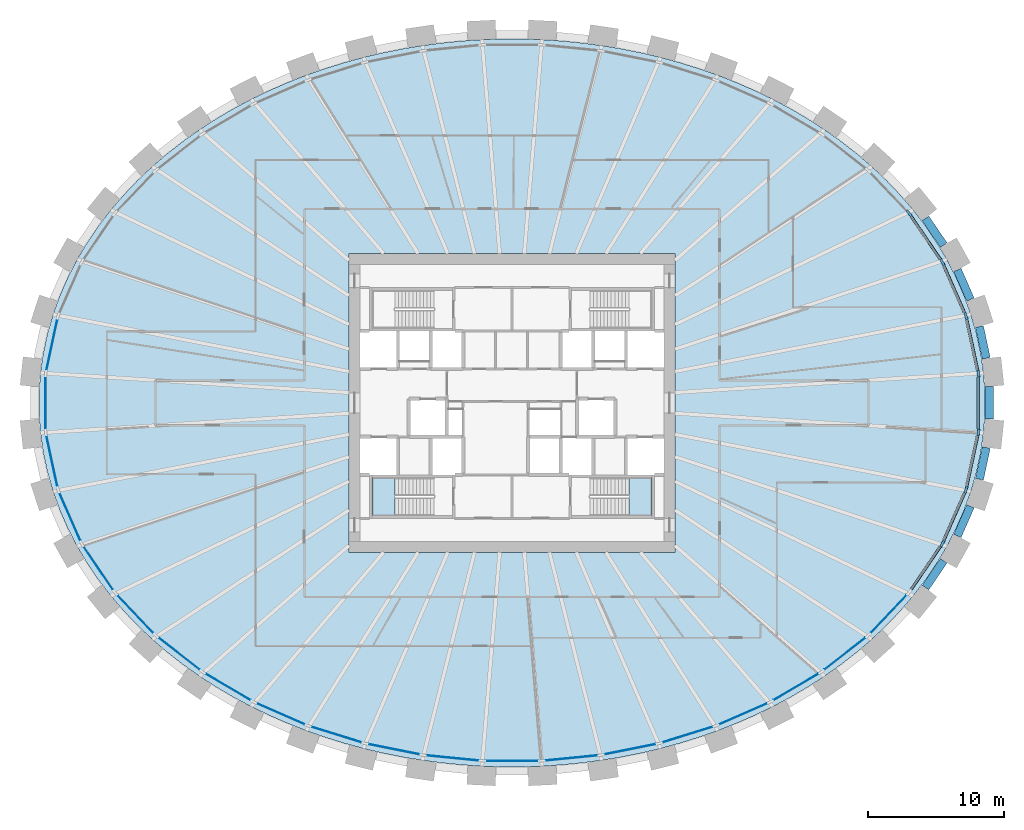
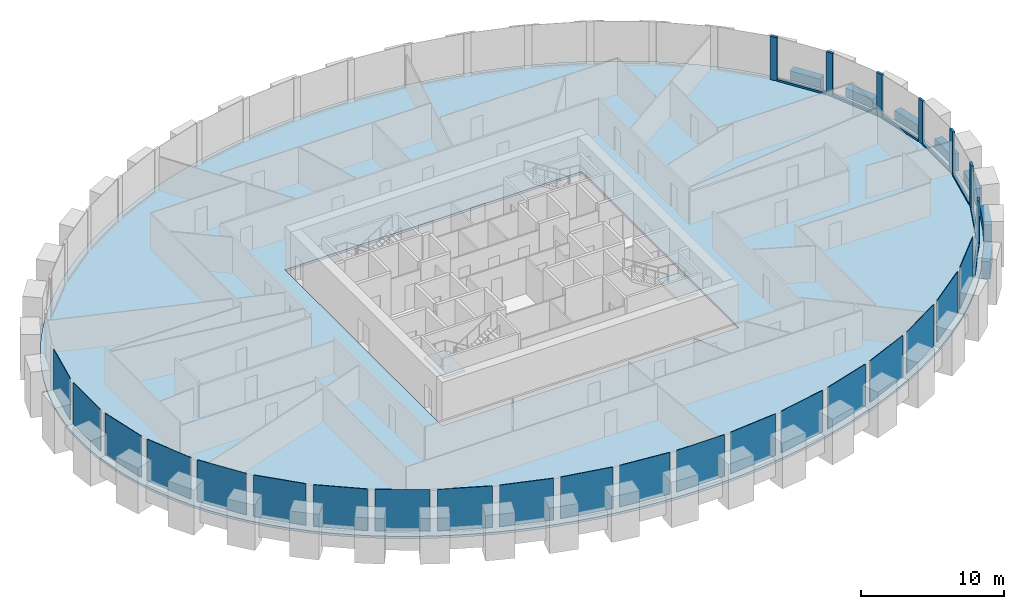
# One storey, part 4 of 11: 20 plates, 14 members, 7 beams, 3 slabs, 3 elements without a shape of their own.
"""IFC4 building model written with IfcOpenShell, lengths in metres."""

import ifcopenshell
import ifcopenshell.guid

model = None  # the IFC model being written
_history = None  # IfcOwnerHistory: only IFC2X3 demands one
_inside = {}  # id of a spatial element -> (the spatial element, [elements in it])
_under = {}  # id of a project, library or spatial element -> (it, [spatial elements below it])
_declared = {}  # id of a project -> (the project, [libraries it declares])
_typed = {}  # id of a type object -> (the type object, [elements of that type])
_made_of = {}  # id of a material, layer set ... -> (it, [elements and type objects made of it])


def new_model(schema):
    """Start an empty IFC model of exactly this schema.

    Asked for "IFC4X3", IfcOpenShell would pick the latest addendum, in which some entities
    have other attributes; the version numbers below select the first issue.
    IFC2X3 requires an IfcOwnerHistory on every rooted entity: one is made here for all.
    """
    global model, _history
    if schema == "IFC4X3":
        model = ifcopenshell.file(schema_version=(4, 3, 0, 0))
    else:
        model = ifcopenshell.file(schema=schema)
    _inside.clear()
    _under.clear()
    _declared.clear()
    _typed.clear()
    _made_of.clear()
    _history = None
    if model.schema == "IFC2X3":
        org = make("IfcOrganization", Name="unknown")
        user = make(
            "IfcPersonAndOrganization",
            ThePerson=make("IfcPerson", FamilyName="unknown"),
            TheOrganization=org,
        )
        app = make(
            "IfcApplication",
            ApplicationDeveloper=org,
            Version="unknown",
            ApplicationFullName="unknown",
            ApplicationIdentifier="unknown",
        )
        _history = make(
            "IfcOwnerHistory",
            OwningUser=user,
            OwningApplication=app,
            ChangeAction="ADDED",
            CreationDate=0,
        )
    return model


def make(cls, **values):
    """One entity of the class cls with the attributes given. An attribute that is None is left unset."""
    return model.create_entity(
        cls, **{name: value for name, value in values.items() if value is not None}
    )


def rooted(cls, **values):
    """An entity with a GlobalId (a new one), such as an element, a storey or a relation."""
    return make(cls, GlobalId=ifcopenshell.guid.new(), OwnerHistory=_history, **values)


def si_unit(unit_type, name, prefix=None):
    """IfcSIUnit, for example si_unit("LENGTHUNIT", "METRE", prefix="MILLI")."""
    return make("IfcSIUnit", UnitType=unit_type, Prefix=prefix, Name=name)


def assignment(units):
    """IfcUnitAssignment: the units of a project."""
    return None if units is None else make("IfcUnitAssignment", Units=units)


def point(xyz):
    """IfcCartesianPoint."""
    return None if xyz is None else make("IfcCartesianPoint", Coordinates=xyz)


def direction(xyz):
    """IfcDirection."""
    return None if xyz is None else make("IfcDirection", DirectionRatios=xyz)


def frame(location, z_axis=None, x_axis=None):
    """IfcAxis2Placement3D, a coordinate frame: its origin and axes. An axis left out is left unset."""
    return make(
        "IfcAxis2Placement3D",
        Location=point(location),
        Axis=direction(z_axis),
        RefDirection=direction(x_axis),
    )


def frame_2d(location, x_axis=None):
    """IfcAxis2Placement2D, a coordinate frame in the plane: its origin and x axis."""
    return make(
        "IfcAxis2Placement2D", Location=point(location), RefDirection=direction(x_axis)
    )


def origin():
    """The frame at (0, 0, 0) with its axes left unset."""
    return frame((0.0, 0.0, 0.0))


def origin_2d():
    """The frame at (0, 0) in the plane with its x axis left unset."""
    return frame_2d((0.0, 0.0))


def place(relative_to, where):
    """IfcLocalPlacement: puts the frame where relative to a parent placement (None: the world)."""
    return make(
        "IfcLocalPlacement", PlacementRelTo=relative_to, RelativePlacement=where
    )


def context(
    kind, dimensions, precision=None, world=None, true_north=None, identifier=None
):
    """IfcGeometricRepresentationContext, for example the 3D "Model" context."""
    return make(
        "IfcGeometricRepresentationContext",
        ContextIdentifier=identifier,
        ContextType=kind,
        CoordinateSpaceDimension=dimensions,
        Precision=precision,
        WorldCoordinateSystem=world,
        TrueNorth=true_north,
    )


def subcontext(parent, identifier, kind, view, scale=None):
    """IfcGeometricRepresentationSubContext, for example "Body" below "Model"."""
    return make(
        "IfcGeometricRepresentationSubContext",
        ContextIdentifier=identifier,
        ContextType=kind,
        ParentContext=parent,
        TargetScale=scale,
        TargetView=view,
    )


def project(units=None, contexts=None):
    """IfcProject with its units and contexts."""
    return rooted(
        "IfcProject",
        Name="project",
        RepresentationContexts=contexts,
        UnitsInContext=assignment(units),
    )


def spatial(cls, under=None, at=None, **own):
    """A site, building, storey or space (cls), placed at a placement, below another one or the project."""
    s = rooted(cls, ObjectPlacement=at, **own)
    if under is not None:
        _under.setdefault(under.id(), (under, []))[1].append(s)
    return s


def polyline(points):
    """IfcPolyline through the points."""
    return make("IfcPolyline", Points=[point(p) for p in points])


def profile(cls, at=None, kind="AREA", **sizes):
    """A parametric profile (cls). Its sizes go by their IFC names, for example OverallWidth=200.0."""
    return make(cls, ProfileType=kind, Position=at, **sizes)


def rectangle(**sizes):
    """IfcRectangleProfileDef."""
    return profile("IfcRectangleProfileDef", **sizes)


def outline(outer, holes=None, kind="AREA"):
    """IfcArbitraryClosedProfileDef: a profile drawn as a closed curve; with holes, ...WithVoids."""
    if holes is None:
        return make("IfcArbitraryClosedProfileDef", ProfileType=kind, OuterCurve=outer)
    return make(
        "IfcArbitraryProfileDefWithVoids",
        ProfileType=kind,
        OuterCurve=outer,
        InnerCurves=holes,
    )


def extrude(swept, where, along, depth):
    """IfcExtrudedAreaSolid: the profile swept, set in the frame where, extruded along a direction by depth."""
    return make(
        "IfcExtrudedAreaSolid",
        SweptArea=swept,
        Position=where,
        ExtrudedDirection=direction(along),
        Depth=depth,
    )


def shape(context_of_items, identifier, shape_type, items):
    """IfcShapeRepresentation: the items that make up one representation, for example the "Body"."""
    return make(
        "IfcShapeRepresentation",
        ContextOfItems=context_of_items,
        RepresentationIdentifier=identifier,
        RepresentationType=shape_type,
        Items=items,
    )


def source(mapping_origin, context_of_items, identifier, shape_type, items):
    """IfcRepresentationMap: a shape defined once, which mapped items show again and again."""
    return make(
        "IfcRepresentationMap",
        MappingOrigin=mapping_origin,
        MappedRepresentation=shape(context_of_items, identifier, shape_type, items),
    )


def transform(
    local_origin,
    x_axis=None,
    y_axis=None,
    z_axis=None,
    scale=None,
    scale2=None,
    scale3=None,
    uniform=True,
):
    """IfcCartesianTransformationOperator3D, or its non-uniform kind. x_axis, y_axis, z_axis: its Axis1, 2, 3."""
    if uniform:
        return make(
            "IfcCartesianTransformationOperator3D",
            Axis1=direction(x_axis),
            Axis2=direction(y_axis),
            LocalOrigin=point(local_origin),
            Scale=scale,
            Axis3=direction(z_axis),
        )
    return make(
        "IfcCartesianTransformationOperator3DnonUniform",
        Axis1=direction(x_axis),
        Axis2=direction(y_axis),
        LocalOrigin=point(local_origin),
        Scale=scale,
        Axis3=direction(z_axis),
        Scale2=scale2,
        Scale3=scale3,
    )


def mapped(mapping_source, mapping_target):
    """IfcMappedItem: shows the shape of a source again, moved by a transform."""
    return make(
        "IfcMappedItem", MappingSource=mapping_source, MappingTarget=mapping_target
    )


def material(Name=None, Category=None):
    """IfcMaterial."""
    return make("IfcMaterial", Name=Name, Category=Category)


def layer(
    of_material, thickness, ventilated=None, Name=None, Category=None, Priority=None
):
    """IfcMaterialLayer: one layer of a wall or slab, of a material (None: an air gap)."""
    return make(
        "IfcMaterialLayer",
        Material=of_material,
        LayerThickness=thickness,
        IsVentilated=ventilated,
        Name=Name,
        Category=Category,
        Priority=Priority,
    )


def layer_set(layers, Name=None):
    """IfcMaterialLayerSet."""
    return make("IfcMaterialLayerSet", MaterialLayers=layers, LayerSetName=Name)


def material_profile(
    of_material, cross_section, Name=None, Category=None, Priority=None
):
    """IfcMaterialProfile: a cross section and its material."""
    return make(
        "IfcMaterialProfile",
        Name=Name,
        Material=of_material,
        Profile=cross_section,
        Priority=Priority,
        Category=Category,
    )


def profile_set(profiles, Name=None, composite=None):
    """IfcMaterialProfileSet."""
    return make(
        "IfcMaterialProfileSet",
        Name=Name,
        MaterialProfiles=profiles,
        CompositeProfile=composite,
    )


def made_of(thing, what):
    """Note that an element or type object is made of a material, layer set ...; save() writes the relation."""
    if what is not None:
        _made_of.setdefault(what.id(), (what, []))[1].append(thing)
    return thing


def type_object(cls, material=None, **own):
    """A type object (cls), such as IfcWallType, which elements share."""
    return made_of(rooted(cls, **own), material)


def element(
    cls,
    number,
    at=None,
    inside=None,
    cuts=None,
    type_object=None,
    material=None,
    context=None,
    identifier="Body",
    shape_type=None,
    held_by="IfcProductDefinitionShape",
    body=None,
    shapes=None,
    **own,
):
    """One element of the class cls, such as IfcWall. Its Tag is "e" and its number.

    at: its placement. inside: the storey or other place that contains it. cuts: it is an
    opening in that element (IfcRelVoidsElement). A single representation is given by context,
    identifier, shape_type and body (its items); several are given by shapes. held_by: the class
    of the entity that holds the representations. save() writes the other relations.
    """
    e = rooted(cls, Tag="e%d" % number, ObjectPlacement=at, **own)
    if body is not None:
        shapes = [shape(context, identifier, shape_type, body)]
    if shapes is not None:
        e.Representation = make(held_by, Representations=shapes)
    if inside is not None:
        _inside.setdefault(inside.id(), (inside, []))[1].append(e)
    if cuts is not None:
        rooted(
            "IfcRelVoidsElement", RelatingBuildingElement=cuts, RelatedOpeningElement=e
        )
    if type_object is not None:
        _typed.setdefault(type_object.id(), (type_object, []))[1].append(e)
    return made_of(e, material)


def aggregate(whole, parts):
    """IfcRelAggregates: a whole, such as a stair, and the parts it consists of."""
    return rooted("IfcRelAggregates", RelatingObject=whole, RelatedObjects=parts)


def save(model, path):
    """Write the relations noted so far, then the file.

    IfcRelAggregates (storeys below a building ...), IfcRelContainedInSpatialStructure (elements
    in a storey), IfcRelDefinesByType, IfcRelAssociatesMaterial and IfcRelDeclares: one each for
    every whole, place, type object, material and project.
    """
    for whole, parts in _under.values():
        aggregate(whole, parts)
    for where, things in _inside.values():
        rooted(
            "IfcRelContainedInSpatialStructure",
            RelatedElements=things,
            RelatingStructure=where,
        )
    for kind, things in _typed.values():
        rooted("IfcRelDefinesByType", RelatedObjects=things, RelatingType=kind)
    for what, things in _made_of.values():
        rooted("IfcRelAssociatesMaterial", RelatedObjects=things, RelatingMaterial=what)
    for by, libraries in _declared.values():
        rooted("IfcRelDeclares", RelatingContext=by, RelatedDefinitions=libraries)
    model.write(path)


model = new_model("IFC4")

# Units and contexts
model_context = context("Model", 3, precision=1e-05, world=origin(), true_north=direction((0.0, 1.0)))
body_context = subcontext(model_context, "Body", "Model", "MODEL_VIEW")
ifc_project = project(units=[si_unit("LENGTHUNIT", "METRE"), si_unit("AREAUNIT", "SQUARE_METRE"), si_unit("VOLUMEUNIT", "CUBIC_METRE"), si_unit("PLANEANGLEUNIT", "RADIAN"), si_unit("MASSUNIT", "GRAM", prefix="KILO")], contexts=[model_context])

# Site, building, storey
site_placement = place(None, origin())
site = spatial("IfcSite", under=ifc_project, at=site_placement, CompositionType="ELEMENT")
building_placement = place(site_placement, origin())
building = spatial("IfcBuilding", under=site, at=building_placement, Name="Embergate Tower", CompositionType="ELEMENT")
storey_placement = place(building_placement, frame((0.0, 0.0, 211.199951171875)))
storey = spatial("IfcBuildingStorey", under=building, at=storey_placement, Name="L48", CompositionType="ELEMENT", Elevation=211.199951171875)

# Beams
ifc_material_1 = material(Name="Concrete C60", Category="concrete")
ifc_material_profile_1 = material_profile(ifc_material_1, rectangle(XDim=0.60009765625, YDim=1.5, at=origin_2d()), Name="RC 600x1500")
ifc_profile_set_1 = profile_set([ifc_material_profile_1], Name="Concrete C60")
beam_type = type_object("IfcBeamType", Name="Spandrel beam RC 600x1500 C60", PredefinedType="BEAM", material=ifc_profile_set_1)
shared_shape_1 = source(origin(), body_context, "Body", "SweptSolid", [
    extrude(rectangle(XDim=0.60009765625, YDim=1.5, at=origin_2d()), origin(), (0.0, 0.0, 1.0), 2.3896484375),
])
for number, where, z_axis, x_axis, name in (
    (1, (34.93896484375, 3.284912109375, 0.0), (-0.21045693854, 0.977603128586, 0.0), (-0.977603128586, -0.21045693854, 0.0), "SPN-L48-00"),
    (2, (34.43603515625, -5.62109375, 0.0), (0.21045693854, 0.977603128586, 0.0), (-0.977603128586, 0.21045693854, 0.0), "SPN-L48-42"),
):
    element("IfcBeam", number, at=place(storey_placement, frame(where, z_axis=z_axis, x_axis=x_axis)), inside=storey, type_object=beam_type, Name=name, PredefinedType="BEAM", context=body_context, shape_type="MappedRepresentation", body=[
        mapped(shared_shape_1, transform((0.0, 0.0, 0.0))),
    ])
shared_shape_2 = source(origin(), body_context, "Body", "SweptSolid", [
    extrude(rectangle(XDim=0.60009765625, YDim=1.5, at=origin_2d()), origin(), (0.0, 0.0, 1.0), 2.3837890625),
])
for number, where, z_axis, x_axis, name in (
    (3, (33.77099609375, 7.613037109375, 0.0), (-0.401876968148, 0.915693672836, 0.0), (-0.915693672836, -0.401876968148, 0.0), "SPN-L48-01"),
    (4, (32.81298828125, -9.7958984375, 0.0), (0.401876968148, 0.915693672836, 0.0), (-0.915693672836, 0.401876968148, 0.0), "SPN-L48-41"),
):
    element("IfcBeam", number, at=place(storey_placement, frame(where, z_axis=z_axis, x_axis=x_axis)), inside=storey, type_object=beam_type, Name=name, PredefinedType="BEAM", context=body_context, shape_type="MappedRepresentation", body=[
        mapped(shared_shape_2, transform((0.0, 0.0, 0.0))),
    ])
shared_shape_3 = source(origin(), body_context, "Body", "SweptSolid", [
    extrude(rectangle(XDim=0.60009765625, YDim=1.5, at=origin_2d()), origin(), (0.0, 0.0, 1.0), 2.379150390625),
])
for number, where, z_axis, x_axis, name in (
    (5, (31.797119140625, 11.633056640625, 0.0), (-0.562467199194, 0.826819599327, 0.0), (-0.826819599327, -0.562467199194, 0.0), "SPN-L48-02"),
    (6, (30.458984375, -13.60009765625, 0.0), (0.562467199194, 0.826819599327, 0.0), (-0.826819599327, 0.562467199194, 0.0), "SPN-L48-40"),
):
    element("IfcBeam", number, at=place(storey_placement, frame(where, z_axis=z_axis, x_axis=x_axis)), inside=storey, type_object=beam_type, Name=name, PredefinedType="BEAM", context=body_context, shape_type="MappedRepresentation", body=[
        mapped(shared_shape_3, transform((0.0, 0.0, 0.0))),
    ])
shared_shape_4 = source(origin(), body_context, "Body", "SweptSolid", [
    extrude(rectangle(XDim=0.60009765625, YDim=1.5, at=origin_2d()), origin(), (0.0, 0.0, 1.0), 2.39208984375),
])
beam_placement = place(storey_placement, frame((35.160888671875, -1.196044921875, 0.0), z_axis=(0.0, 1.0, 0.0), x_axis=(-1.0, 0.0, 0.0)))
element("IfcBeam", 7, at=beam_placement, inside=storey, type_object=beam_type, Name="SPN-L48-43", PredefinedType="BEAM", context=body_context, shape_type="MappedRepresentation", body=[
    mapped(shared_shape_4, transform((0.0, 0.0, 0.0))),
])

# Curtain wall, members
ifc_material_2 = material(Name="Aluminium and glass", Category="aluminium")
curtain_wall_type = type_object("IfcCurtainWallType", Name="Recessed office glazing", PredefinedType="NOTDEFINED", material=ifc_material_2)
curtain_wall_placement = place(storey_placement, origin())
curtain_wall = element("IfcCurtainWall", 8, at=curtain_wall_placement, inside=storey, type_object=curtain_wall_type, Name="Recessed office glazing ring", ObjectType="RECESSED OFFICE GLAZING", PredefinedType="USERDEFINED")
ifc_material_3 = material(Name="Aluminium, thermally broken", Category="aluminium")
ifc_material_profile_2 = material_profile(ifc_material_3, rectangle(XDim=0.179931640625, YDim=0.52001953125, at=origin_2d()), Name="AL 520x180")
ifc_profile_set_2 = profile_set([ifc_material_profile_2], Name="Aluminium, thermally broken")
member_type_1 = type_object("IfcMemberType", Name="Office mullion", PredefinedType="MULLION", material=ifc_profile_set_2)
shared_shape_5 = source(origin(), body_context, "Body", "SweptSolid", [
    extrude(rectangle(XDim=0.179931640625, YDim=0.52001953125, at=origin_2d()), origin(), (0.0, 0.0, 1.0), 3.699951171875),
])
member_1_placement = place(storey_placement, frame((34.35302734375, 2.165283203125, 0.0), z_axis=(0.0, 0.0, 1.0), x_axis=(-0.994384954736, -0.105823257345, 0.0)))
member_1 = element("IfcMember", 9, at=member_1_placement, type_object=member_type_1, Name="CW mullion 1", PredefinedType="MULLION", context=body_context, shape_type="MappedRepresentation", body=[
    mapped(shared_shape_5, transform((0.0, 0.0, 0.0))),
])
member_2_placement = place(storey_placement, frame((33.44140625, 6.401611328125, 0.0), z_axis=(0.0, 0.0, 1.0), x_axis=(-0.951497797992, -0.307655554826, 0.0)))
member_2 = element("IfcMember", 10, at=member_2_placement, type_object=member_type_1, Name="CW mullion 2", PredefinedType="MULLION", context=body_context, shape_type="MappedRepresentation", body=[
    mapped(shared_shape_5, transform((0.0, 0.0, 0.0))),
])
member_3_placement = place(storey_placement, frame((31.697998046875, 10.376220703125, 0.0), z_axis=(0.0, 0.0, 1.0), x_axis=(-0.875002740779, -0.484117964581, 0.0)))
member_3 = element("IfcMember", 11, at=member_3_placement, type_object=member_type_1, Name="CW mullion 3", PredefinedType="MULLION", context=body_context, shape_type="MappedRepresentation", body=[
    mapped(shared_shape_5, transform((0.0, 0.0, 0.0))),
])
member_4_placement = place(storey_placement, frame((29.25244140625, 13.972412109375, 0.0), z_axis=(0.0, 0.0, 1.0), x_axis=(-0.777874757957, -0.628419335264, 0.0)))
member_4 = element("IfcMember", 12, at=member_4_placement, type_object=member_type_1, Name="CW mullion 4", PredefinedType="MULLION", context=body_context, shape_type="MappedRepresentation", body=[
    mapped(shared_shape_5, transform((0.0, 0.0, 0.0))),
])
member_5_placement = place(storey_placement, frame((31.697998046875, -10.376220703125, 0.0), z_axis=(0.0, 0.0, 1.0), x_axis=(-0.875002740779, 0.484117964581, 0.0)))
member_5 = element("IfcMember", 13, at=member_5_placement, type_object=member_type_1, Name="CW mullion 42", PredefinedType="MULLION", context=body_context, shape_type="MappedRepresentation", body=[
    mapped(shared_shape_5, transform((0.0, 0.0, 0.0))),
])
member_6_placement = place(storey_placement, frame((33.44140625, -6.401611328125, 0.0), z_axis=(0.0, 0.0, 1.0), x_axis=(-0.951497797992, 0.307655554826, 0.0)))
member_6 = element("IfcMember", 14, at=member_6_placement, type_object=member_type_1, Name="CW mullion 43", PredefinedType="MULLION", context=body_context, shape_type="MappedRepresentation", body=[
    mapped(shared_shape_5, transform((0.0, 0.0, 0.0))),
])
member_7_placement = place(storey_placement, frame((34.35302734375, -2.165283203125, 0.0), z_axis=(0.0, 0.0, 1.0), x_axis=(-0.994384954736, 0.105823257345, 0.0)))
member_7 = element("IfcMember", 15, at=member_7_placement, type_object=member_type_1, Name="CW mullion 44", PredefinedType="MULLION", context=body_context, shape_type="MappedRepresentation", body=[
    mapped(shared_shape_5, transform((0.0, 0.0, 0.0))),
])
ifc_material_profile_3 = material_profile(ifc_material_3, rectangle(XDim=0.179931640625, YDim=0.14990234375, at=origin_2d()), Name="AL 150x180")
ifc_profile_set_3 = profile_set([ifc_material_profile_3], Name="Aluminium, thermally broken")
member_type_2 = type_object("IfcMemberType", Name="Office sill transom", PredefinedType="USERDEFINED", material=ifc_profile_set_3)
shared_shape_6 = source(origin(), body_context, "Body", "SweptSolid", [
    extrude(rectangle(XDim=0.179931640625, YDim=0.14990234375, at=origin_2d()), origin(), (0.0, 0.0, 1.0), 3.8134765625),
])
member_8_placement = place(storey_placement, frame((34.29833984375, 2.41943359375, 0.074951171875), z_axis=(-0.210377227089, 0.977620285347, 0.0), x_axis=(-0.977620285347, -0.210377227089, 0.0)))
member_8 = element("IfcMember", 16, at=member_8_placement, type_object=member_type_2, Name="CW transom 1.1", ObjectType="TRANSOM", PredefinedType="USERDEFINED", context=body_context, shape_type="MappedRepresentation", body=[
    mapped(shared_shape_6, transform((0.0, 0.0, 0.0))),
])
member_9_placement = place(storey_placement, frame((33.49609375, -6.1474609375, 0.074951171875), z_axis=(0.210377227089, 0.977620285347, 0.0), x_axis=(-0.977620285347, 0.210377227089, 0.0)))
member_9 = element("IfcMember", 17, at=member_9_placement, type_object=member_type_2, Name="CW transom 43.1", ObjectType="TRANSOM", PredefinedType="USERDEFINED", context=body_context, shape_type="MappedRepresentation", body=[
    mapped(shared_shape_6, transform((0.0, 0.0, 0.0))),
])
shared_shape_7 = source(origin(), body_context, "Body", "SweptSolid", [
    extrude(rectangle(XDim=0.179931640625, YDim=0.14990234375, at=origin_2d()), origin(), (0.0, 0.0, 1.0), 3.8203125),
])
member_10_placement = place(storey_placement, frame((33.3369140625, 6.6396484375, 0.074951171875), z_axis=(-0.401656793595, 0.915790270837, 0.0), x_axis=(-0.915790270837, -0.401656793595, 0.0)))
member_10 = element("IfcMember", 18, at=member_10_placement, type_object=member_type_2, Name="CW transom 2.1", ObjectType="TRANSOM", PredefinedType="USERDEFINED", context=body_context, shape_type="MappedRepresentation", body=[
    mapped(shared_shape_7, transform((0.0, 0.0, 0.0))),
])
member_11_placement = place(storey_placement, frame((31.802490234375, -10.13818359375, 0.074951171875), z_axis=(0.401656793595, 0.915790270837, 0.0), x_axis=(-0.915790270837, 0.401656793595, 0.0)))
member_11 = element("IfcMember", 19, at=member_11_placement, type_object=member_type_2, Name="CW transom 42.1", ObjectType="TRANSOM", PredefinedType="USERDEFINED", context=body_context, shape_type="MappedRepresentation", body=[
    mapped(shared_shape_7, transform((0.0, 0.0, 0.0))),
])
shared_shape_8 = source(origin(), body_context, "Body", "SweptSolid", [
    extrude(rectangle(XDim=0.179931640625, YDim=0.14990234375, at=origin_2d()), origin(), (0.0, 0.0, 1.0), 3.828857421875),
])
member_12_placement = place(storey_placement, frame((31.552001953125, 10.59130859375, 0.074951171875), z_axis=(-0.56238675743, 0.826874316367, 0.0), x_axis=(-0.826874316367, -0.56238675743, 0.0)))
member_12 = element("IfcMember", 20, at=member_12_placement, type_object=member_type_2, Name="CW transom 3.1", ObjectType="TRANSOM", PredefinedType="USERDEFINED", context=body_context, shape_type="MappedRepresentation", body=[
    mapped(shared_shape_8, transform((0.0, 0.0, 0.0))),
])
member_13_placement = place(storey_placement, frame((29.398681640625, -13.75732421875, 0.074951171875), z_axis=(0.56238675743, 0.826874316367, 0.0), x_axis=(-0.826874316367, 0.56238675743, 0.0)))
member_13 = element("IfcMember", 21, at=member_13_placement, type_object=member_type_2, Name="CW transom 41.1", ObjectType="TRANSOM", PredefinedType="USERDEFINED", context=body_context, shape_type="MappedRepresentation", body=[
    mapped(shared_shape_8, transform((0.0, 0.0, 0.0))),
])
shared_shape_9 = source(origin(), body_context, "Body", "SweptSolid", [
    extrude(rectangle(XDim=0.179931640625, YDim=0.14990234375, at=origin_2d()), origin(), (0.0, 0.0, 1.0), 3.810546875),
])
member_14_placement = place(storey_placement, frame((34.35302734375, -1.9052734375, 0.074951171875), z_axis=(0.0, 1.0, 0.0), x_axis=(-1.0, 0.0, 0.0)))
member_14 = element("IfcMember", 22, at=member_14_placement, type_object=member_type_2, Name="CW transom 44.1", ObjectType="TRANSOM", PredefinedType="USERDEFINED", context=body_context, shape_type="MappedRepresentation", body=[
    mapped(shared_shape_9, transform((0.0, 0.0, 0.0))),
])

# Slab
ifc_material_4 = material(Name="Concrete C40", Category="concrete")
ifc_layer_1 = layer(ifc_material_4, 0.199951171875)
ifc_layer_set_1 = layer_set([ifc_layer_1], Name="Concrete C40")
slab_type_1 = type_object("IfcSlabType", Name="Composite floor slab C40 200", PredefinedType="FLOOR", material=ifc_layer_set_1)
shared_shape_10 = source(origin(), body_context, "Body", "SweptSolid", [
    extrude(outline(polyline([(0.0, 0.0), (1.47412109375, 0.0), (2.947021484375, 0.048095703125), (4.421142578125, 0.14404296875), (5.887939453125, 0.2880859375), (7.345947265625, 0.47998046875), (8.80712890625, 0.72216796875), (10.251953125, 1.011962890625), (11.68115234375, 1.35009765625), (13.112060546875, 1.739990234375), (14.51904296875, 2.17919921875), (15.901123046875, 2.6640625), (17.2841796875, 3.2080078125), (18.635009765625, 3.798095703125), (19.949951171875, 4.43505859375), (21.26416015625, 5.135986328125), (22.53515625, 5.883056640625), (23.760009765625, 6.675048828125), (24.97705078125, 7.5380859375), (26.13916015625, 8.445068359375), (27.2431640625, 9.39306640625), (28.328125, 10.420166015625), (29.344970703125, 11.487060546875), (30.2919921875, 12.591064453125), (31.201171875, 13.775146484375), (32.029052734375, 14.9931640625), (32.776123046875, 16.2431640625), (33.4599609375, 17.566162109375), (34.051025390625, 18.9150390625), (34.549072265625, 20.287109375), (34.9599609375, 21.711181640625), (35.27001953125, 23.151123046875), (35.47802734375, 24.60205078125), (35.5830078125, 26.072998046875), (35.5830078125, 27.545166015625), (35.47802734375, 29.01611328125), (35.27001953125, 30.467041015625), (34.9599609375, 31.906982421875), (34.549072265625, 33.3310546875), (34.051025390625, 34.703125), (33.4599609375, 36.052001953125), (32.776123046875, 37.375), (32.029052734375, 38.625), (31.201171875, 39.843017578125), (30.2919921875, 41.027099609375), (29.344970703125, 42.131103515625), (28.328125, 43.197998046875), (27.2431640625, 44.22509765625), (26.13916015625, 45.173095703125), (24.97705078125, 46.080078125), (23.760009765625, 46.943115234375), (22.53515625, 47.735107421875), (21.26416015625, 48.482177734375), (19.949951171875, 49.18310546875), (18.635009765625, 49.820068359375), (17.2841796875, 50.41015625), (15.901123046875, 50.9541015625), (14.51904296875, 51.43896484375), (13.112060546875, 51.878173828125), (11.68115234375, 52.26806640625), (10.251953125, 52.606201171875), (8.80712890625, 52.89599609375), (7.345947265625, 53.13818359375), (5.887939453125, 53.330078125), (4.421142578125, 53.47412109375), (2.947021484375, 53.570068359375), (1.47412109375, 53.6181640625), (0.0, 53.6181640625), (-1.472900390625, 53.570068359375), (-2.947021484375, 53.47412109375), (-4.413818359375, 53.330078125), (-5.871826171875, 53.13818359375), (-7.3330078125, 52.89599609375), (-8.77783203125, 52.606201171875), (-10.20703125, 52.26806640625), (-11.637939453125, 51.878173828125), (-13.044921875, 51.43896484375), (-14.427001953125, 50.9541015625), (-15.81005859375, 50.41015625), (-17.160888671875, 49.820068359375), (-18.475830078125, 49.18310546875), (-19.7900390625, 48.482177734375), (-21.06103515625, 47.735107421875), (-22.285888671875, 46.943115234375), (-23.5029296875, 46.080078125), (-24.6650390625, 45.173095703125), (-25.76904296875, 44.22509765625), (-26.85400390625, 43.197998046875), (-27.870849609375, 42.131103515625), (-28.81787109375, 41.027099609375), (-29.72705078125, 39.843017578125), (-30.554931640625, 38.625), (-31.302001953125, 37.375), (-31.98583984375, 36.052001953125), (-32.576904296875, 34.703125), (-33.074951171875, 33.3310546875), (-33.48583984375, 31.906982421875), (-33.7958984375, 30.467041015625), (-34.00390625, 29.01611328125), (-34.10888671875, 27.545166015625), (-34.10888671875, 26.072998046875), (-34.00390625, 24.60205078125), (-33.7958984375, 23.151123046875), (-33.48583984375, 21.711181640625), (-33.074951171875, 20.287109375), (-32.576904296875, 18.9150390625), (-31.98583984375, 17.566162109375), (-31.302001953125, 16.2431640625), (-30.554931640625, 14.9931640625), (-29.72705078125, 13.775146484375), (-28.81787109375, 12.591064453125), (-27.870849609375, 11.487060546875), (-26.85400390625, 10.420166015625), (-25.76904296875, 9.39306640625), (-24.6650390625, 8.445068359375), (-23.5029296875, 7.5380859375), (-22.285888671875, 6.675048828125), (-21.06103515625, 5.883056640625), (-19.7900390625, 5.135986328125), (-18.475830078125, 4.43505859375), (-17.160888671875, 3.798095703125), (-15.81005859375, 3.2080078125), (-14.427001953125, 2.6640625), (-13.044921875, 2.17919921875), (-11.637939453125, 1.739990234375), (-10.20703125, 1.35009765625), (-8.77783203125, 1.011962890625), (-7.3330078125, 0.72216796875), (-5.871826171875, 0.47998046875), (-4.413818359375, 0.2880859375), (-2.947021484375, 0.14404296875), (-1.472900390625, 0.048095703125), (0.0, 0.0)]), holes=[polyline([(-11.262939453125, 15.80908203125), (-11.262939453125, 37.80908203125), (12.737060546875, 37.80908203125), (12.737060546875, 15.80908203125), (-11.262939453125, 15.80908203125)])]), origin(), (0.0, 0.0, 1.0), 0.199951171875),
])
slab_1_placement = place(storey_placement, frame((-0.737060546875, -26.80908203125, -0.199951171875)))
element("IfcSlab", 23, at=slab_1_placement, inside=storey, type_object=slab_type_1, Name="SLB-L48-00", PredefinedType="FLOOR", context=body_context, shape_type="MappedRepresentation", body=[
    mapped(shared_shape_10, transform((0.0, 0.0, 0.0))),
])

# Plate
ifc_material_5 = material(Name="Triple glazing, low-emissivity coating", Category="glass")
ifc_layer_2 = layer(ifc_material_5, 0.035888671875)
ifc_layer_set_2 = layer_set([ifc_layer_2], Name="Triple glazing, low-emissivity coating")
plate_type = type_object("IfcPlateType", Name="Office glazing unit", PredefinedType="CURTAIN_PANEL", material=ifc_layer_set_2)
shared_shape_11 = source(origin(), body_context, "Body", "SweptSolid", [
    extrude(rectangle(XDim=3.813232421875, YDim=0.035888671875, at=origin_2d()), origin(), (0.0, 0.0, 1.0), 3.550048828125),
])
plate_1_placement = place(storey_placement, frame((-33.897216796875, 4.283447265625, 0.14990234375), z_axis=(0.0, 0.0, 1.0), x_axis=(-0.210394978653, -0.977616465163, 0.0)))
plate_1 = element("IfcPlate", 24, at=plate_1_placement, type_object=plate_type, Name="CW panel 21.1", PredefinedType="CURTAIN_PANEL", context=body_context, shape_type="MappedRepresentation", body=[
    mapped(shared_shape_11, transform((0.0, 0.0, 0.0))),
])

plate_2_placement = place(storey_placement, frame((-33.897216796875, -4.283447265625, 0.14990234375), z_axis=(0.0, 0.0, 1.0), x_axis=(0.210394978653, -0.977616465163, 0.0)))
plate_2 = element("IfcPlate", 25, at=plate_2_placement, type_object=plate_type, Name="CW panel 23.1", PredefinedType="CURTAIN_PANEL", context=body_context, shape_type="MappedRepresentation", body=[
    mapped(shared_shape_11, transform((0.0, 0.0, 0.0))),
])

shared_shape_12 = source(origin(), body_context, "Body", "SweptSolid", [
    extrude(rectangle(XDim=3.820068359375, YDim=0.035888671875, at=origin_2d()), origin(), (0.0, 0.0, 1.0), 3.550048828125),
])
plate_3_placement = place(storey_placement, frame((-32.569580078125, -8.388916015625, 0.14990234375), z_axis=(0.0, 0.0, 1.0), x_axis=(0.401648904437, -0.915793730905, 0.0)))
plate_3 = element("IfcPlate", 26, at=plate_3_placement, type_object=plate_type, Name="CW panel 24.1", PredefinedType="CURTAIN_PANEL", context=body_context, shape_type="MappedRepresentation", body=[
    mapped(shared_shape_12, transform((0.0, 0.0, 0.0))),
])

shared_shape_13 = source(origin(), body_context, "Body", "SweptSolid", [
    extrude(rectangle(XDim=3.828857421875, YDim=0.035888671875, at=origin_2d()), origin(), (0.0, 0.0, 1.0), 3.550048828125),
])
plate_4_placement = place(storey_placement, frame((-30.475341796875, -12.17431640625, 0.14990234375), z_axis=(0.0, 0.0, 1.0), x_axis=(0.562337412243, -0.826907875638, 0.0)))
plate_4 = element("IfcPlate", 27, at=plate_4_placement, type_object=plate_type, Name="CW panel 25.1", PredefinedType="CURTAIN_PANEL", context=body_context, shape_type="MappedRepresentation", body=[
    mapped(shared_shape_13, transform((0.0, 0.0, 0.0))),
])

shared_shape_14 = source(origin(), body_context, "Body", "SweptSolid", [
    extrude(rectangle(XDim=3.83740234375, YDim=0.035888671875, at=origin_2d()), origin(), (0.0, 0.0, 1.0), 3.550048828125),
])
plate_5_placement = place(storey_placement, frame((-27.748779296875, -15.549072265625, 0.14990234375), z_axis=(0.0, 0.0, 1.0), x_axis=(0.690128732196, -0.72368662624, 0.0)))
plate_5 = element("IfcPlate", 28, at=plate_5_placement, type_object=plate_type, Name="CW panel 26.1", PredefinedType="CURTAIN_PANEL", context=body_context, shape_type="MappedRepresentation", body=[
    mapped(shared_shape_14, transform((0.0, 0.0, 0.0))),
])

plate_6_placement = place(storey_placement, frame((27.748779296875, -15.549072265625, 0.14990234375), z_axis=(0.0, 0.0, 1.0), x_axis=(0.690128732196, 0.72368662624, 0.0)))
plate_6 = element("IfcPlate", 29, at=plate_6_placement, type_object=plate_type, Name="CW panel 40.1", PredefinedType="CURTAIN_PANEL", context=body_context, shape_type="MappedRepresentation", body=[
    mapped(shared_shape_14, transform((0.0, 0.0, 0.0))),
])

shared_shape_15 = source(origin(), body_context, "Body", "SweptSolid", [
    extrude(rectangle(XDim=3.844970703125, YDim=0.035888671875, at=origin_2d()), origin(), (0.0, 0.0, 1.0), 3.550048828125),
])
plate_7_placement = place(storey_placement, frame((-24.52490234375, -18.468505859375, 0.14990234375), z_axis=(0.0, 0.0, 1.0), x_axis=(0.788315823873, -0.615270803656, 0.0)))
plate_7 = element("IfcPlate", 30, at=plate_7_placement, type_object=plate_type, Name="CW panel 27.1", PredefinedType="CURTAIN_PANEL", context=body_context, shape_type="MappedRepresentation", body=[
    mapped(shared_shape_15, transform((0.0, 0.0, 0.0))),
])

plate_8_placement = place(storey_placement, frame((24.52490234375, -18.468505859375, 0.14990234375), z_axis=(0.0, 0.0, 1.0), x_axis=(0.788315823873, 0.615270803656, 0.0)))
plate_8 = element("IfcPlate", 31, at=plate_8_placement, type_object=plate_type, Name="CW panel 39.1", PredefinedType="CURTAIN_PANEL", context=body_context, shape_type="MappedRepresentation", body=[
    mapped(shared_shape_15, transform((0.0, 0.0, 0.0))),
])

shared_shape_16 = source(origin(), body_context, "Body", "SweptSolid", [
    extrude(rectangle(XDim=3.850830078125, YDim=0.035888671875, at=origin_2d()), origin(), (0.0, 0.0, 1.0), 3.550048828125),
])
plate_9_placement = place(storey_placement, frame((-20.920654296875, -20.9189453125, 0.14990234375), z_axis=(0.0, 0.0, 1.0), x_axis=(0.862049629534, -0.506823871004, 0.0)))
plate_9 = element("IfcPlate", 32, at=plate_9_placement, type_object=plate_type, Name="CW panel 28.1", PredefinedType="CURTAIN_PANEL", context=body_context, shape_type="MappedRepresentation", body=[
    mapped(shared_shape_16, transform((0.0, 0.0, 0.0))),
])

plate_10_placement = place(storey_placement, frame((20.920654296875, -20.9189453125, 0.14990234375), z_axis=(0.0, 0.0, 1.0), x_axis=(0.862049629534, 0.506823871004, 0.0)))
plate_10 = element("IfcPlate", 33, at=plate_10_placement, type_object=plate_type, Name="CW panel 38.1", PredefinedType="CURTAIN_PANEL", context=body_context, shape_type="MappedRepresentation", body=[
    mapped(shared_shape_16, transform((0.0, 0.0, 0.0))),
])

shared_shape_17 = source(origin(), body_context, "Body", "SweptSolid", [
    extrude(rectangle(XDim=3.855224609375, YDim=0.035888671875, at=origin_2d()), origin(), (0.0, 0.0, 1.0), 3.550048828125),
])
plate_11_placement = place(storey_placement, frame((-17.0322265625, -22.903076171875, 0.14990234375), z_axis=(0.0, 0.0, 1.0), x_axis=(0.916233414734, -0.400644892298, 0.0)))
plate_11 = element("IfcPlate", 34, at=plate_11_placement, type_object=plate_type, Name="CW panel 29.1", PredefinedType="CURTAIN_PANEL", context=body_context, shape_type="MappedRepresentation", body=[
    mapped(shared_shape_17, transform((0.0, 0.0, 0.0))),
])

plate_12_placement = place(storey_placement, frame((17.0322265625, -22.903076171875, 0.14990234375), z_axis=(0.0, 0.0, 1.0), x_axis=(0.916233414734, 0.400644892298, 0.0)))
plate_12 = element("IfcPlate", 35, at=plate_12_placement, type_object=plate_type, Name="CW panel 37.1", PredefinedType="CURTAIN_PANEL", context=body_context, shape_type="MappedRepresentation", body=[
    mapped(shared_shape_17, transform((0.0, 0.0, 0.0))),
])

shared_shape_18 = source(origin(), body_context, "Body", "SweptSolid", [
    extrude(rectangle(XDim=3.8583984375, YDim=0.035888671875, at=origin_2d()), origin(), (0.0, 0.0, 1.0), 3.550048828125),
])
plate_13_placement = place(storey_placement, frame((-12.9375, -24.430419921875, 0.14990234375), z_axis=(0.0, 0.0, 1.0), x_axis=(0.954770660302, -0.297343212847, 0.0)))
plate_13 = element("IfcPlate", 36, at=plate_13_placement, type_object=plate_type, Name="CW panel 30.1", PredefinedType="CURTAIN_PANEL", context=body_context, shape_type="MappedRepresentation", body=[
    mapped(shared_shape_18, transform((0.0, 0.0, 0.0))),
])

plate_14_placement = place(storey_placement, frame((12.9375, -24.430419921875, 0.14990234375), z_axis=(0.0, 0.0, 1.0), x_axis=(0.954770660302, 0.297343212847, 0.0)))
plate_14 = element("IfcPlate", 37, at=plate_14_placement, type_object=plate_type, Name="CW panel 36.1", PredefinedType="CURTAIN_PANEL", context=body_context, shape_type="MappedRepresentation", body=[
    mapped(shared_shape_18, transform((0.0, 0.0, 0.0))),
])

shared_shape_19 = source(origin(), body_context, "Body", "SweptSolid", [
    extrude(rectangle(XDim=3.860595703125, YDim=0.035888671875, at=origin_2d()), origin(), (0.0, 0.0, 1.0), 3.550048828125),
])
plate_15_placement = place(storey_placement, frame((-8.69970703125, -25.51220703125, 0.14990234375), z_axis=(0.0, 0.0, 1.0), x_axis=(0.980475221003, -0.196642673395, 0.0)))
plate_15 = element("IfcPlate", 38, at=plate_15_placement, type_object=plate_type, Name="CW panel 31.1", PredefinedType="CURTAIN_PANEL", context=body_context, shape_type="MappedRepresentation", body=[
    mapped(shared_shape_19, transform((0.0, 0.0, 0.0))),
])

plate_16_placement = place(storey_placement, frame((8.69970703125, -25.51220703125, 0.14990234375), z_axis=(0.0, 0.0, 1.0), x_axis=(0.980475221003, 0.196642673395, 0.0)))
plate_16 = element("IfcPlate", 39, at=plate_16_placement, type_object=plate_type, Name="CW panel 35.1", PredefinedType="CURTAIN_PANEL", context=body_context, shape_type="MappedRepresentation", body=[
    mapped(shared_shape_19, transform((0.0, 0.0, 0.0))),
])

shared_shape_20 = source(origin(), body_context, "Body", "SweptSolid", [
    extrude(rectangle(XDim=3.862060546875, YDim=0.035888671875, at=origin_2d()), origin(), (0.0, 0.0, 1.0), 3.550048828125),
])
plate_17_placement = place(storey_placement, frame((-4.37158203125, -26.1572265625, 0.14990234375), z_axis=(0.0, 0.0, 1.0), x_axis=(0.995203014042, -0.097831287645, 0.0)))
plate_17 = element("IfcPlate", 40, at=plate_17_placement, type_object=plate_type, Name="CW panel 32.1", PredefinedType="CURTAIN_PANEL", context=body_context, shape_type="MappedRepresentation", body=[
    mapped(shared_shape_20, transform((0.0, 0.0, 0.0))),
])

plate_18_placement = place(storey_placement, frame((4.37158203125, -26.1572265625, 0.14990234375), z_axis=(0.0, 0.0, 1.0), x_axis=(0.995203014042, 0.097831287645, 0.0)))
plate_18 = element("IfcPlate", 41, at=plate_18_placement, type_object=plate_type, Name="CW panel 34.1", PredefinedType="CURTAIN_PANEL", context=body_context, shape_type="MappedRepresentation", body=[
    mapped(shared_shape_20, transform((0.0, 0.0, 0.0))),
])

shared_shape_21 = source(origin(), body_context, "Body", "SweptSolid", [
    extrude(rectangle(XDim=3.8623046875, YDim=0.035888671875, at=origin_2d()), origin(), (0.0, 0.0, 1.0), 3.550048828125),
])
plate_19_placement = place(storey_placement, frame((0.0, -26.37158203125, 0.14990234375), z_axis=(0.0, 0.0, 1.0), x_axis=(1.0, 0.0, 0.0)))
plate_19 = element("IfcPlate", 42, at=plate_19_placement, type_object=plate_type, Name="CW panel 33.1", PredefinedType="CURTAIN_PANEL", context=body_context, shape_type="MappedRepresentation", body=[
    mapped(shared_shape_21, transform((0.0, 0.0, 0.0))),
])

shared_shape_22 = source(origin(), body_context, "Body", "SweptSolid", [
    extrude(rectangle(XDim=3.810546875, YDim=0.035888671875, at=origin_2d()), origin(), (0.0, 0.0, 1.0), 3.550048828125),
])
plate_20_placement = place(storey_placement, frame((-34.35302734375, 0.0, 0.14990234375), z_axis=(0.0, 0.0, 1.0), x_axis=(0.0, -1.0, 0.0)))
plate_20 = element("IfcPlate", 43, at=plate_20_placement, type_object=plate_type, Name="CW panel 22.1", PredefinedType="CURTAIN_PANEL", context=body_context, shape_type="MappedRepresentation", body=[
    mapped(shared_shape_22, transform((0.0, 0.0, 0.0))),
])

aggregate(curtain_wall, [member_1, member_2, member_3, member_4, member_5, member_6, member_7, member_8, member_10, member_12, plate_1, plate_20, plate_2, plate_3, plate_4, plate_5, plate_7, plate_9, plate_11, plate_13, plate_15, plate_17, plate_19, plate_18, plate_16, plate_14, plate_12, plate_10, plate_8, plate_6, member_13, member_11, member_9, member_14])

# Stair, slab
ifc_material_6 = material(Name="Exit stair")
stair_type = type_object("IfcStairType", Name="Exit stair", PredefinedType="HALF_TURN_STAIR", material=ifc_material_6)
stair_1_placement = place(storey_placement, origin())
stair_1 = element("IfcStair", 44, at=stair_1_placement, inside=storey, type_object=stair_type, Name="L48 Exit stair 3", PredefinedType="HALF_TURN_STAIR")
ifc_layer_3 = layer(ifc_material_4, 0.199951171875)
ifc_layer_set_3 = layer_set([ifc_layer_3], Name="Concrete C40")
slab_type_2 = type_object("IfcSlabType", Name="Stair landing reinforced concrete", PredefinedType="LANDING", material=ifc_layer_set_3)
shared_shape_23 = source(origin(), body_context, "Body", "SweptSolid", [
    extrude(outline(polyline([(0.0, 0.0), (1.68994140625, 0.0), (1.68994140625, 2.800048828125), (0.0, 2.800048828125), (0.0, 0.0)])), origin(), (0.0, 0.0, 1.0), 0.199951171875),
])
slab_2_placement = place(storey_placement, frame((-10.300048828125, -8.300048828125, 1.75)))
slab_2 = element("IfcSlab", 45, at=slab_2_placement, type_object=slab_type_2, Name="ST3 landing 1", PredefinedType="LANDING", context=body_context, shape_type="MappedRepresentation", body=[
    mapped(shared_shape_23, transform((0.0, 0.0, 0.0))),
])
aggregate(stair_1, [slab_2])

stair_2_placement = place(storey_placement, origin())
stair_2 = element("IfcStair", 46, at=stair_2_placement, inside=storey, type_object=stair_type, Name="L48 Exit stair 4", PredefinedType="HALF_TURN_STAIR")
slab_3_placement = place(storey_placement, frame((8.610107421875, -8.300048828125, 1.75)))
slab_3 = element("IfcSlab", 47, at=slab_3_placement, type_object=slab_type_2, Name="ST4 landing 1", PredefinedType="LANDING", context=body_context, shape_type="MappedRepresentation", body=[
    mapped(shared_shape_23, transform((0.0, 0.0, 0.0))),
])
aggregate(stair_2, [slab_3])

save(model, "model.ifc")
